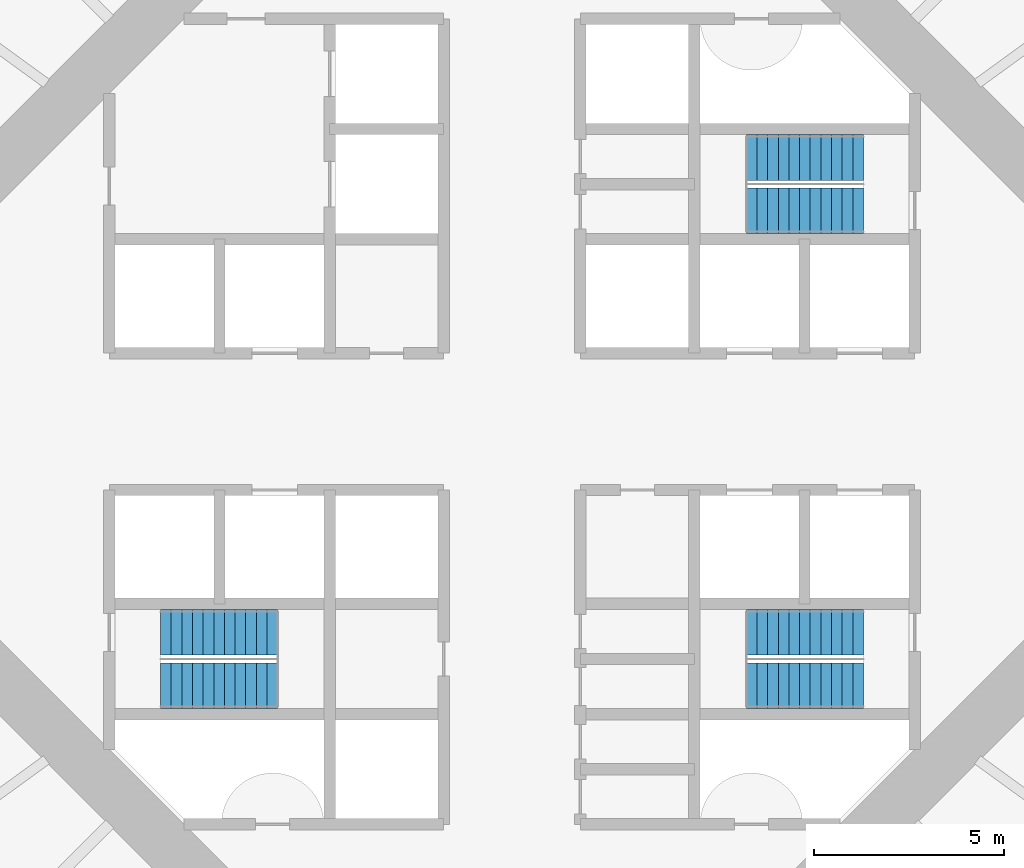
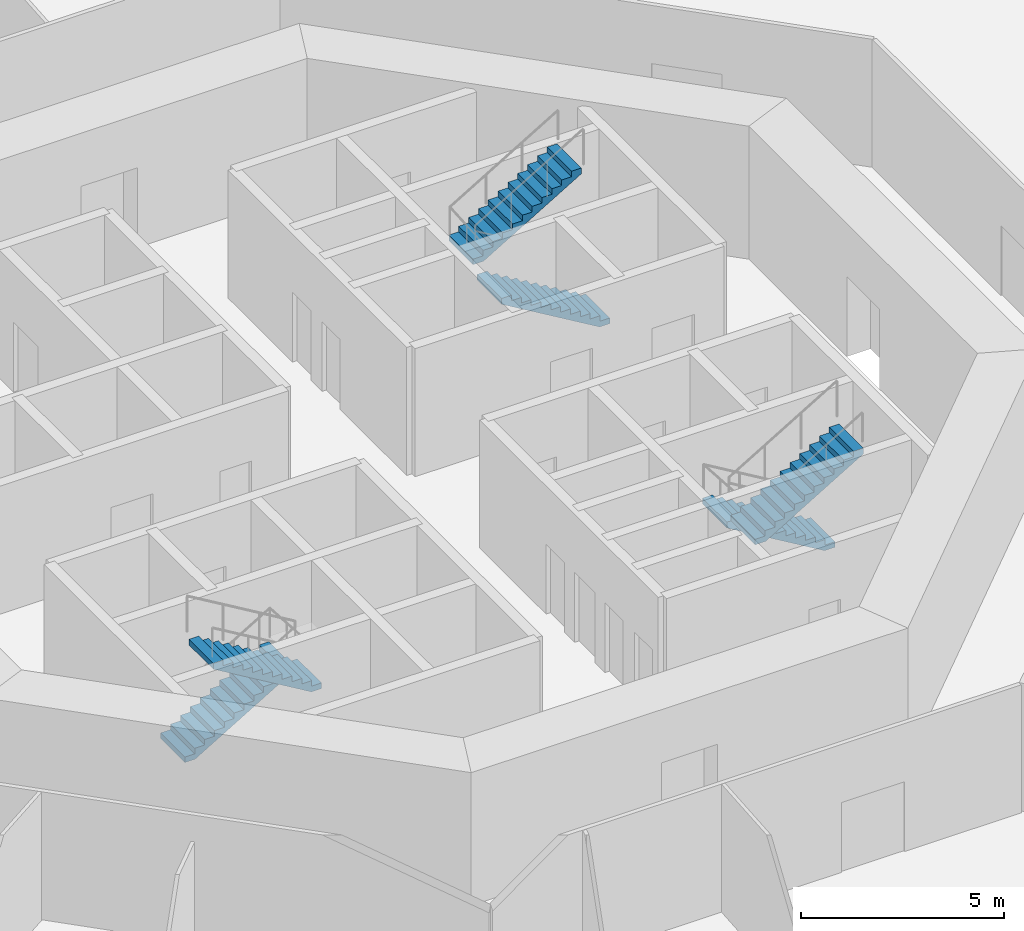
# One storey, part 6 of 13: 6 stair flights, 3 elements without a shape of their own.
"""IFC4 building model written with IfcOpenShell, lengths in metres."""

from ifc_helpers import new_model, si_unit, direction, frame, origin, place, context, subcontext, project, spatial, polyline, outline, extrude, material, type_object, element, aggregate, save


model = new_model("IFC4")

# Units and contexts
model_context = context("Model", 3, precision=1e-05, world=origin(), true_north=direction((0.0, 1.0)))
body_context = subcontext(model_context, "Body", "Model", "MODEL_VIEW")
ifc_project = project(units=[si_unit("LENGTHUNIT", "METRE"), si_unit("AREAUNIT", "SQUARE_METRE"), si_unit("VOLUMEUNIT", "CUBIC_METRE"), si_unit("PLANEANGLEUNIT", "RADIAN"), si_unit("MASSUNIT", "GRAM", prefix="KILO")], contexts=[model_context])

# Site, building, storey
site_placement = place(None, origin())
site = spatial("IfcSite", under=ifc_project, at=site_placement, CompositionType="ELEMENT")
building_placement = place(site_placement, origin())
building = spatial("IfcBuilding", under=site, at=building_placement, Name="Entoto Ring Tower", CompositionType="ELEMENT")
storey_placement = place(building_placement, frame((0.0, 0.0, 46.0)))
storey = spatial("IfcBuildingStorey", under=building, at=storey_placement, Name="L09", CompositionType="ELEMENT", Elevation=46.0)

# Stair, stair flights
ifc_material_1 = material(Name="Concrete C40/50", Category="concrete")
stair_type = type_object("IfcStairType", Name="Exit stair 1200 mm dog-leg reinforced concrete", PredefinedType="HALF_TURN_STAIR", material=ifc_material_1)
stair_1_placement = place(storey_placement, origin())
stair_1 = element("IfcStair", 1, at=stair_1_placement, inside=storey, type_object=stair_type, Name="Exit stair 1", PredefinedType="HALF_TURN_STAIR")
ifc_material_2 = material(Name="Concrete C40/50", Category="concrete")
stair_flight_type = type_object("IfcStairFlightType", Name="Stair flight 1200 mm reinforced concrete", PredefinedType="STRAIGHT", material=ifc_material_2)
stair_flight_1_placement = place(storey_placement, frame((99.25, 85.550048828125, 0.0), z_axis=(0.0, 0.0, 1.0), x_axis=(-1.0, 0.0, 0.0)))
stair_flight_1 = element("IfcStairFlight", 2, at=stair_flight_1_placement, type_object=stair_flight_type, Name="ST1 flight 1", NumberOfRisers=12, NumberOfTreads=11, PredefinedType="STRAIGHT", RiserHeight=0.166666667, TreadLength=0.28, context=body_context, shape_type="SweptSolid", body=[
    extrude(outline(polyline([(0.0, 0.0), (0.0, 0.166748046875), (0.280029296875, 0.166748046875), (0.280029296875, 0.333251953125), (0.56005859375, 0.333251953125), (0.56005859375, 0.5), (0.840087890625, 0.5), (0.840087890625, 0.666748046875), (1.1201171875, 0.666748046875), (1.1201171875, 0.833251953125), (1.39990234375, 0.833251953125), (1.39990234375, 1.0), (1.679931640625, 1.0), (1.679931640625, 1.166748046875), (1.9599609375, 1.166748046875), (1.9599609375, 1.333251953125), (2.239990234375, 1.333251953125), (2.239990234375, 1.5), (2.52001953125, 1.5), (2.52001953125, 1.666748046875), (2.800048828125, 1.666748046875), (2.800048828125, 1.833251953125), (3.080078125, 1.833251953125), (3.080078125, 2.0), (3.080078125, 1.658935546875), (0.29296875, 0.0), (0.0, 0.0)])), frame((0.0, 0.60009765625, 0.0), z_axis=(0.0, -1.0, 0.0), x_axis=(1.0, 0.0, 0.0)), (0.0, 0.0, 1.0), 1.199951171875),
])
stair_flight_2_placement = place(storey_placement, frame((96.169921875, 86.949951171875, 2.0), z_axis=(0.0, 0.0, 1.0), x_axis=(1.0, 0.0, 0.0)))
stair_flight_2 = element("IfcStairFlight", 3, at=stair_flight_2_placement, type_object=stair_flight_type, Name="ST1 flight 2", NumberOfRisers=12, NumberOfTreads=11, PredefinedType="STRAIGHT", RiserHeight=0.166666667, TreadLength=0.28, context=body_context, shape_type="SweptSolid", body=[
    extrude(outline(polyline([(0.0, 0.0), (0.0, 0.166748046875), (0.280029296875, 0.166748046875), (0.280029296875, 0.333251953125), (0.56005859375, 0.333251953125), (0.56005859375, 0.5), (0.840087890625, 0.5), (0.840087890625, 0.666748046875), (1.1201171875, 0.666748046875), (1.1201171875, 0.833251953125), (1.39990234375, 0.833251953125), (1.39990234375, 1.0), (1.679931640625, 1.0), (1.679931640625, 1.166748046875), (1.9599609375, 1.166748046875), (1.9599609375, 1.333251953125), (2.239990234375, 1.333251953125), (2.239990234375, 1.5), (2.52001953125, 1.5), (2.52001953125, 1.666748046875), (2.800048828125, 1.666748046875), (2.800048828125, 1.833251953125), (3.080078125, 1.833251953125), (3.080078125, 2.0), (3.080078125, 1.658935546875), (0.29296875, 0.0), (0.0, 0.0)])), frame((0.0, 0.60009765625, 0.0), z_axis=(0.0, -1.0, 0.0), x_axis=(1.0, 0.0, 0.0)), (0.0, 0.0, 1.0), 1.199951171875),
])
aggregate(stair_1, [stair_flight_1, stair_flight_2])

stair_2_placement = place(storey_placement, origin())
stair_2 = element("IfcStair", 4, at=stair_2_placement, inside=storey, type_object=stair_type, Name="Exit stair 2", PredefinedType="HALF_TURN_STAIR")
stair_flight_3_placement = place(storey_placement, frame((80.75, 74.449951171875, 0.0), z_axis=(0.0, 0.0, 1.0), x_axis=(1.0, 0.0, 0.0)))
stair_flight_3 = element("IfcStairFlight", 5, at=stair_flight_3_placement, type_object=stair_flight_type, Name="ST2 flight 1", NumberOfRisers=12, NumberOfTreads=11, PredefinedType="STRAIGHT", RiserHeight=0.166666667, TreadLength=0.28, context=body_context, shape_type="SweptSolid", body=[
    extrude(outline(polyline([(0.0, 0.0), (0.0, 0.166748046875), (0.280029296875, 0.166748046875), (0.280029296875, 0.333251953125), (0.56005859375, 0.333251953125), (0.56005859375, 0.5), (0.840087890625, 0.5), (0.840087890625, 0.666748046875), (1.1201171875, 0.666748046875), (1.1201171875, 0.833251953125), (1.39990234375, 0.833251953125), (1.39990234375, 1.0), (1.679931640625, 1.0), (1.679931640625, 1.166748046875), (1.9599609375, 1.166748046875), (1.9599609375, 1.333251953125), (2.239990234375, 1.333251953125), (2.239990234375, 1.5), (2.52001953125, 1.5), (2.52001953125, 1.666748046875), (2.800048828125, 1.666748046875), (2.800048828125, 1.833251953125), (3.080078125, 1.833251953125), (3.080078125, 2.0), (3.080078125, 1.658935546875), (0.29296875, 0.0), (0.0, 0.0)])), frame((0.0, 0.60009765625, 0.0), z_axis=(0.0, -1.0, 0.0), x_axis=(1.0, 0.0, 0.0)), (0.0, 0.0, 1.0), 1.199951171875),
])
stair_flight_4_placement = place(storey_placement, frame((83.830078125, 73.050048828125, 2.0), z_axis=(0.0, 0.0, 1.0), x_axis=(-1.0, 0.0, 0.0)))
stair_flight_4 = element("IfcStairFlight", 6, at=stair_flight_4_placement, type_object=stair_flight_type, Name="ST2 flight 2", NumberOfRisers=12, NumberOfTreads=11, PredefinedType="STRAIGHT", RiserHeight=0.166666667, TreadLength=0.28, context=body_context, shape_type="SweptSolid", body=[
    extrude(outline(polyline([(0.0, 0.0), (0.0, 0.166748046875), (0.280029296875, 0.166748046875), (0.280029296875, 0.333251953125), (0.56005859375, 0.333251953125), (0.56005859375, 0.5), (0.840087890625, 0.5), (0.840087890625, 0.666748046875), (1.1201171875, 0.666748046875), (1.1201171875, 0.833251953125), (1.39990234375, 0.833251953125), (1.39990234375, 1.0), (1.679931640625, 1.0), (1.679931640625, 1.166748046875), (1.9599609375, 1.166748046875), (1.9599609375, 1.333251953125), (2.239990234375, 1.333251953125), (2.239990234375, 1.5), (2.52001953125, 1.5), (2.52001953125, 1.666748046875), (2.800048828125, 1.666748046875), (2.800048828125, 1.833251953125), (3.080078125, 1.833251953125), (3.080078125, 2.0), (3.080078125, 1.658935546875), (0.29296875, 0.0), (0.0, 0.0)])), frame((0.0, 0.60009765625, 0.0), z_axis=(0.0, -1.0, 0.0), x_axis=(1.0, 0.0, 0.0)), (0.0, 0.0, 1.0), 1.199951171875),
])
aggregate(stair_2, [stair_flight_3, stair_flight_4])

stair_3_placement = place(storey_placement, origin())
stair_3 = element("IfcStair", 7, at=stair_3_placement, inside=storey, type_object=stair_type, Name="Exit stair 3", PredefinedType="HALF_TURN_STAIR")
stair_flight_5_placement = place(storey_placement, frame((99.25, 74.449951171875, 0.0), z_axis=(0.0, 0.0, 1.0), x_axis=(-1.0, 0.0, 0.0)))
stair_flight_5 = element("IfcStairFlight", 8, at=stair_flight_5_placement, type_object=stair_flight_type, Name="ST3 flight 1", NumberOfRisers=12, NumberOfTreads=11, PredefinedType="STRAIGHT", RiserHeight=0.166666667, TreadLength=0.28, context=body_context, shape_type="SweptSolid", body=[
    extrude(outline(polyline([(0.0, 0.0), (0.0, 0.166748046875), (0.280029296875, 0.166748046875), (0.280029296875, 0.333251953125), (0.56005859375, 0.333251953125), (0.56005859375, 0.5), (0.840087890625, 0.5), (0.840087890625, 0.666748046875), (1.1201171875, 0.666748046875), (1.1201171875, 0.833251953125), (1.39990234375, 0.833251953125), (1.39990234375, 1.0), (1.679931640625, 1.0), (1.679931640625, 1.166748046875), (1.9599609375, 1.166748046875), (1.9599609375, 1.333251953125), (2.239990234375, 1.333251953125), (2.239990234375, 1.5), (2.52001953125, 1.5), (2.52001953125, 1.666748046875), (2.800048828125, 1.666748046875), (2.800048828125, 1.833251953125), (3.080078125, 1.833251953125), (3.080078125, 2.0), (3.080078125, 1.658935546875), (0.29296875, 0.0), (0.0, 0.0)])), frame((0.0, 0.60009765625, 0.0), z_axis=(0.0, -1.0, 0.0), x_axis=(1.0, 0.0, 0.0)), (0.0, 0.0, 1.0), 1.199951171875),
])
stair_flight_6_placement = place(storey_placement, frame((96.169921875, 73.050048828125, 2.0), z_axis=(0.0, 0.0, 1.0), x_axis=(1.0, 0.0, 0.0)))
stair_flight_6 = element("IfcStairFlight", 9, at=stair_flight_6_placement, type_object=stair_flight_type, Name="ST3 flight 2", NumberOfRisers=12, NumberOfTreads=11, PredefinedType="STRAIGHT", RiserHeight=0.166666667, TreadLength=0.28, context=body_context, shape_type="SweptSolid", body=[
    extrude(outline(polyline([(0.0, 0.0), (0.0, 0.166748046875), (0.280029296875, 0.166748046875), (0.280029296875, 0.333251953125), (0.56005859375, 0.333251953125), (0.56005859375, 0.5), (0.840087890625, 0.5), (0.840087890625, 0.666748046875), (1.1201171875, 0.666748046875), (1.1201171875, 0.833251953125), (1.39990234375, 0.833251953125), (1.39990234375, 1.0), (1.679931640625, 1.0), (1.679931640625, 1.166748046875), (1.9599609375, 1.166748046875), (1.9599609375, 1.333251953125), (2.239990234375, 1.333251953125), (2.239990234375, 1.5), (2.52001953125, 1.5), (2.52001953125, 1.666748046875), (2.800048828125, 1.666748046875), (2.800048828125, 1.833251953125), (3.080078125, 1.833251953125), (3.080078125, 2.0), (3.080078125, 1.658935546875), (0.29296875, 0.0), (0.0, 0.0)])), frame((0.0, 0.60009765625, 0.0), z_axis=(0.0, -1.0, 0.0), x_axis=(1.0, 0.0, 0.0)), (0.0, 0.0, 1.0), 1.199951171875),
])
aggregate(stair_3, [stair_flight_5, stair_flight_6])

save(model, "model.ifc")
